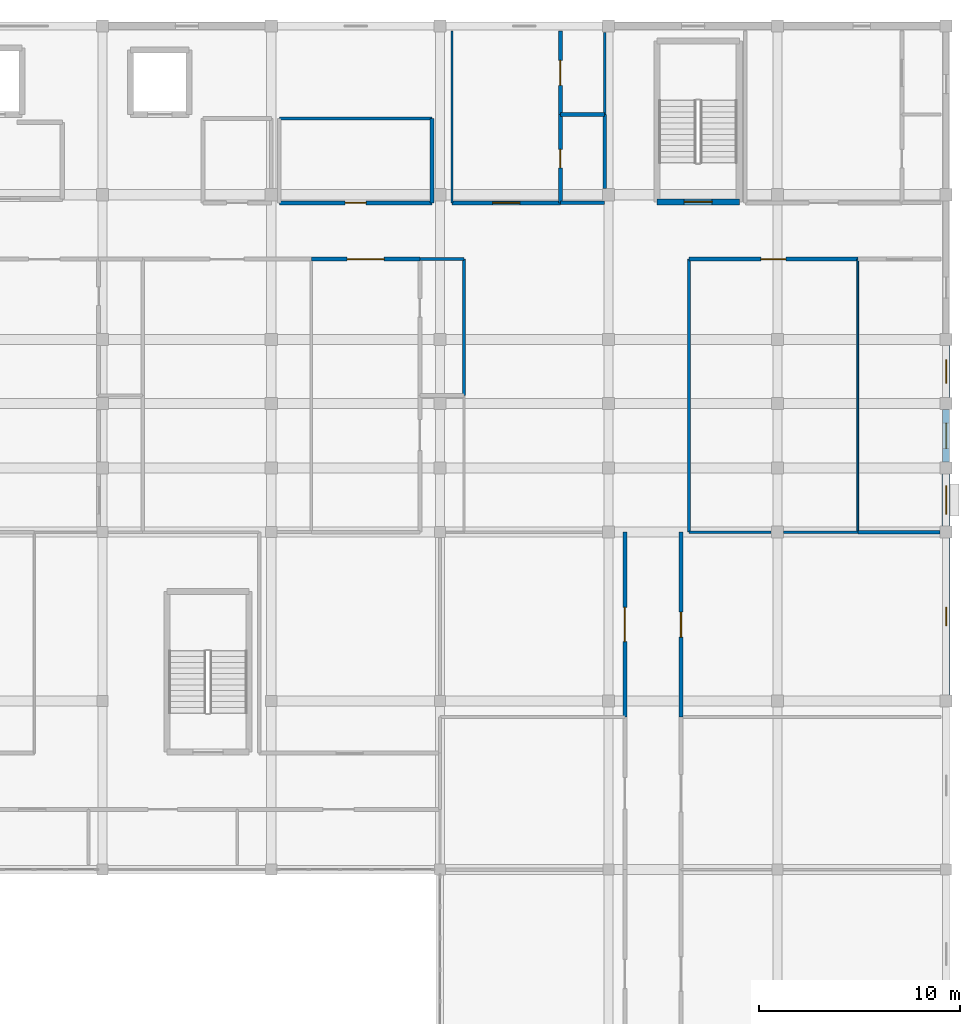
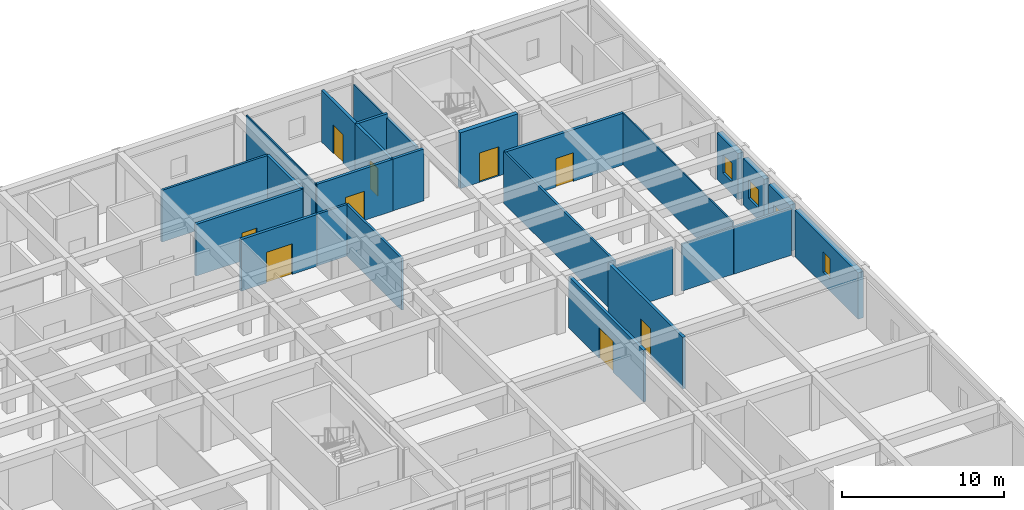
# One storey, part 59 of 77: 27 walls, 9 doors, 4 windows, 13 openings.
"""IFC4 building model written with IfcOpenShell, lengths in metres."""

from ifc_helpers import new_model, si_unit, direction, frame, frame_2d, origin, place, context, subcontext, project, spatial, rectangle, extrude, material, layer, layer_set, type_object, element, fill, save


model = new_model("IFC4")

# Units and contexts
model_context = context("Model", 3, precision=1e-05, world=origin(), true_north=direction((0.0, 1.0)))
body_context = subcontext(model_context, "Body", "Model", "MODEL_VIEW")
ifc_project = project(units=[si_unit("LENGTHUNIT", "METRE"), si_unit("AREAUNIT", "SQUARE_METRE"), si_unit("VOLUMEUNIT", "CUBIC_METRE"), si_unit("PLANEANGLEUNIT", "RADIAN"), si_unit("MASSUNIT", "GRAM", prefix="KILO")], contexts=[model_context])

# Site, building, storey
site_placement = place(None, origin())
site = spatial("IfcSite", under=ifc_project, at=site_placement, CompositionType="ELEMENT")
building_placement = place(site_placement, origin())
building = spatial("IfcBuilding", under=site, at=building_placement, Name="Varncliffe General Hospital", CompositionType="ELEMENT")
storey_placement = place(building_placement, frame((0.0, 0.0, 16.199951171875)))
storey = spatial("IfcBuildingStorey", under=building, at=storey_placement, Name="L03", CompositionType="ELEMENT", Elevation=16.199951171875)

# Wall, opening, window
ifc_material_1 = material(Name="Precast concrete C40/50 with insulated cream lime-cement stucco", Category="concrete")
ifc_layer_1 = layer(ifc_material_1, 0.3798828125)
ifc_layer_set_1 = layer_set([ifc_layer_1], Name="Precast concrete C40/50 with insulated cream lime-cement stucco")
wall_type_1 = type_object("IfcWallType", Name="Exterior Insulated Stucco Wall EW26 (380mm)", PredefinedType="SOLIDWALL", material=ifc_layer_set_1)
wall_1_placement = place(storey_placement, frame((176.39990234375, 108.902099609375, 0.0), z_axis=(0.0, 0.0, 1.0), x_axis=(0.0, -1.0, 0.0)))
wall_1 = element("IfcWall", 1, at=wall_1_placement, inside=storey, type_object=wall_type_1, Name="L03 Exterior Stucco Wall EW26-260", PredefinedType="SOLIDWALL", context=body_context, shape_type="SweptSolid", body=[
    extrude(rectangle(XDim=2.60400390625, YDim=0.3798828125, at=frame_2d((1.302001953125, 0.0))), origin(), (0.0, 0.0, 1.0), 3.47998046875),
])
opening_1_placement = place(wall_1_placement, frame((0.72705078125, 0.0, 0.89990234375)))
opening_1 = element("IfcOpeningElement", 2, at=opening_1_placement, cuts=wall_1, Name="Opening WN62", PredefinedType="OPENING", context=body_context, shape_type="SweptSolid", body=[
    extrude(rectangle(XDim=1.14990234375, YDim=1.39990234375, at=frame_2d((0.574951171875, 0.699951171875))), frame((0.0, 0.199951171875, 0.0), z_axis=(0.0, -1.0, 0.0), x_axis=(1.0, 0.0, 0.0)), (0.0, 0.0, 1.0), 0.39990234375),
])
ifc_material_2 = material(Name="Triple low-E argon insulated vision glazing", Category="glass")
window_type_1 = type_object("IfcWindowType", Name="Triple-Glazed Hospital Window WN62 (1150x1400)", PartitioningType="SINGLE_PANEL", PredefinedType="WINDOW", material=ifc_material_2)
window_1_placement = place(opening_1_placement, origin())
window_1 = element("IfcWindow", 3, at=window_1_placement, inside=storey, type_object=window_type_1, Name="L03 Hospital Window WN62-180", OverallHeight=1.39990234375, OverallWidth=1.14990234375, PartitioningType="SINGLE_PANEL", PredefinedType="WINDOW", context=body_context, shape_type="SweptSolid", body=[
    extrude(rectangle(XDim=1.14990234375, YDim=1.39990234375, at=frame_2d((0.574951171875, 0.699951171875))), frame((0.0, 0.030029296875, 0.0), z_axis=(0.0, -1.0, 0.0), x_axis=(1.0, 0.0, 0.0)), (0.0, 0.0, 1.0), 0.06005859375),
])
fill(opening_1, window_1)

wall_2_placement = place(storey_placement, frame((176.39990234375, 99.302001953125, 0.0), z_axis=(0.0, 0.0, 1.0), x_axis=(0.0, -1.0, 0.0)))
wall_2 = element("IfcWall", 4, at=wall_2_placement, inside=storey, type_object=wall_type_1, Name="L03 Exterior Stucco Wall EW26-263", PredefinedType="SOLIDWALL", context=body_context, shape_type="SweptSolid", body=[
    extrude(rectangle(XDim=7.803955078125, YDim=0.3798828125, at=frame_2d((3.90185546875, 0.0))), origin(), (0.0, 0.0, 1.0), 3.47998046875),
])
opening_2_placement = place(wall_2_placement, frame((3.451904296875, 0.0, 0.89990234375)))
opening_2 = element("IfcOpeningElement", 5, at=opening_2_placement, cuts=wall_2, Name="Opening WN45", PredefinedType="OPENING", context=body_context, shape_type="SweptSolid", body=[
    extrude(rectangle(XDim=0.89990234375, YDim=1.550048828125, at=frame_2d((0.449951171875, 0.77490234375))), frame((0.0, 0.199951171875, 0.0), z_axis=(0.0, -1.0, 0.0), x_axis=(1.0, 0.0, 0.0)), (0.0, 0.0, 1.0), 0.39990234375),
])
window_type_2 = type_object("IfcWindowType", Name="Triple-Glazed Hospital Window WN45 (900x1550)", PartitioningType="SINGLE_PANEL", PredefinedType="WINDOW", material=ifc_material_2)
window_2_placement = place(opening_2_placement, origin())
window_2 = element("IfcWindow", 6, at=window_2_placement, inside=storey, type_object=window_type_2, Name="L03 Hospital Window WN45-183", OverallHeight=1.550048828125, OverallWidth=0.89990234375, PartitioningType="SINGLE_PANEL", PredefinedType="WINDOW", context=body_context, shape_type="SweptSolid", body=[
    extrude(rectangle(XDim=0.89990234375, YDim=1.550048828125, at=frame_2d((0.449951171875, 0.77490234375))), frame((0.0, 0.030029296875, 0.0), z_axis=(0.0, -1.0, 0.0), x_axis=(1.0, 0.0, 0.0)), (0.0, 0.0, 1.0), 0.06005859375),
])
fill(opening_2, window_2)

ifc_layer_2 = layer(ifc_material_1, 0.35009765625)
ifc_layer_set_2 = layer_set([ifc_layer_2], Name="Precast concrete C40/50 with insulated cream lime-cement stucco")
wall_type_2 = type_object("IfcWallType", Name="Exterior Insulated Stucco Wall EW37 (350mm)", PredefinedType="SOLIDWALL", material=ifc_layer_set_2)
wall_3_placement = place(storey_placement, frame((176.39990234375, 105.701904296875, 0.0), z_axis=(0.0, 0.0, 1.0), x_axis=(0.0, -1.0, 0.0)))
wall_3 = element("IfcWall", 7, at=wall_3_placement, inside=storey, type_object=wall_type_2, Name="L03 Exterior Stucco Wall EW37-261", PredefinedType="SOLIDWALL", context=body_context, shape_type="SweptSolid", body=[
    extrude(rectangle(XDim=2.60400390625, YDim=0.35009765625, at=frame_2d((1.302001953125, 0.0))), origin(), (0.0, 0.0, 1.0), 3.47998046875),
])
opening_3_placement = place(wall_3_placement, frame((0.677001953125, 0.0, 0.89990234375)))
opening_3 = element("IfcOpeningElement", 8, at=opening_3_placement, cuts=wall_3, Name="Opening WN43", PredefinedType="OPENING", context=body_context, shape_type="SweptSolid", body=[
    extrude(rectangle(XDim=1.25, YDim=1.39990234375, at=frame_2d((0.625, 0.699951171875))), frame((0.0, 0.18505859375, 0.0), z_axis=(0.0, -1.0, 0.0), x_axis=(1.0, 0.0, 0.0)), (0.0, 0.0, 1.0), 0.3701171875),
])
window_type_3 = type_object("IfcWindowType", Name="Triple-Glazed Hospital Window WN43 (1250x1400)", PartitioningType="SINGLE_PANEL", PredefinedType="WINDOW", material=ifc_material_2)
window_3_placement = place(opening_3_placement, origin())
window_3 = element("IfcWindow", 9, at=window_3_placement, inside=storey, type_object=window_type_3, Name="L03 Hospital Window WN43-181", OverallHeight=1.39990234375, OverallWidth=1.25, PartitioningType="SINGLE_PANEL", PredefinedType="WINDOW", context=body_context, shape_type="SweptSolid", body=[
    extrude(rectangle(XDim=1.25, YDim=1.39990234375, at=frame_2d((0.625, 0.699951171875))), frame((0.0, 0.030029296875, 0.0), z_axis=(0.0, -1.0, 0.0), x_axis=(1.0, 0.0, 0.0)), (0.0, 0.0, 1.0), 0.06005859375),
])
fill(opening_3, window_3)

ifc_layer_3 = layer(ifc_material_1, 0.39990234375)
ifc_layer_set_3 = layer_set([ifc_layer_3], Name="Precast concrete C40/50 with insulated cream lime-cement stucco")
wall_type_3 = type_object("IfcWallType", Name="Exterior Insulated Stucco Wall EW47 (400mm)", PredefinedType="SOLIDWALL", material=ifc_layer_set_3)
wall_4_placement = place(storey_placement, frame((176.39990234375, 102.501953125, 0.0), z_axis=(0.0, 0.0, 1.0), x_axis=(0.0, -1.0, 0.0)))
wall_4 = element("IfcWall", 10, at=wall_4_placement, inside=storey, type_object=wall_type_3, Name="L03 Exterior Stucco Wall EW47-262", PredefinedType="SOLIDWALL", context=body_context, shape_type="SweptSolid", body=[
    extrude(rectangle(XDim=2.60400390625, YDim=0.39990234375, at=frame_2d((1.302001953125, 0.0))), origin(), (0.0, 0.0, 1.0), 3.47998046875),
])
opening_4_placement = place(wall_4_placement, frame((0.60205078125, 0.0, 0.89990234375)))
opening_4 = element("IfcOpeningElement", 11, at=opening_4_placement, cuts=wall_4, Name="Opening WN76", PredefinedType="OPENING", context=body_context, shape_type="SweptSolid", body=[
    extrude(rectangle(XDim=1.39990234375, YDim=1.39990234375, at=frame_2d((0.699951171875, 0.699951171875))), frame((0.0, 0.2099609375, 0.0), z_axis=(0.0, -1.0, 0.0), x_axis=(1.0, 0.0, 0.0)), (0.0, 0.0, 1.0), 0.419921875),
])
window_type_4 = type_object("IfcWindowType", Name="Triple-Glazed Hospital Window WN76 (1400x1400)", PartitioningType="SINGLE_PANEL", PredefinedType="WINDOW", material=ifc_material_2)
window_4_placement = place(opening_4_placement, origin())
window_4 = element("IfcWindow", 12, at=window_4_placement, inside=storey, type_object=window_type_4, Name="L03 Hospital Window WN76-182", OverallHeight=1.39990234375, OverallWidth=1.39990234375, PartitioningType="SINGLE_PANEL", PredefinedType="WINDOW", context=body_context, shape_type="SweptSolid", body=[
    extrude(rectangle(XDim=1.39990234375, YDim=1.39990234375, at=frame_2d((0.699951171875, 0.699951171875))), frame((0.0, 0.030029296875, 0.0), z_axis=(0.0, -1.0, 0.0), x_axis=(1.0, 0.0, 0.0)), (0.0, 0.0, 1.0), 0.06005859375),
])
fill(opening_4, window_4)

# Walls
ifc_material_3 = material(Name="Acoustic clinical gypsum stud partition assembly", Category="gypsum")
ifc_layer_4 = layer(ifc_material_3, 0.1298828125)
ifc_layer_set_4 = layer_set([ifc_layer_4], Name="Acoustic clinical gypsum stud partition assembly")
wall_type_4 = type_object("IfcWallType", Name="Interior Partitioning IW11 (130mm)", PredefinedType="PARTITIONING", material=ifc_layer_set_4)
wall_5_placement = place(storey_placement, frame((163.60009765625, 99.60009765625, 0.0), z_axis=(0.0, 0.0, 1.0), x_axis=(1.0, 0.0, 0.0)))
element("IfcWall", 13, at=wall_5_placement, inside=storey, type_object=wall_type_4, Name="L03 Interior Partition Wall IW11-1443", PredefinedType="PARTITIONING", context=body_context, shape_type="SweptSolid", body=[
    extrude(rectangle(XDim=4.0849609375, YDim=0.1298828125, at=frame_2d((2.04248046875, 0.0))), origin(), (0.0, 0.0, 1.0), 3.53515625),
])
wall_6_placement = place(storey_placement, frame((168.31494140625, 99.60009765625, 0.0), z_axis=(0.0, 0.0, 1.0), x_axis=(1.0, 0.0, 0.0)))
element("IfcWall", 14, at=wall_6_placement, inside=storey, type_object=wall_type_4, Name="L03 Interior Partition Wall IW11-1444", PredefinedType="PARTITIONING", context=body_context, shape_type="SweptSolid", body=[
    extrude(rectangle(XDim=3.68505859375, YDim=0.1298828125, at=frame_2d((1.842529296875, 0.0))), origin(), (0.0, 0.0, 1.0), 3.53515625),
])
ifc_layer_5 = layer(ifc_material_3, 0.169921875)
ifc_layer_set_5 = layer_set([ifc_layer_5], Name="Acoustic clinical gypsum stud partition assembly")
wall_type_5 = type_object("IfcWallType", Name="Interior Partitioning IW20 (170mm)", PredefinedType="PARTITIONING", material=ifc_layer_set_5)
wall_7_placement = place(storey_placement, frame((172.0, 99.60009765625, 0.0), z_axis=(0.0, 0.0, 1.0), x_axis=(1.0, 0.0, 0.0)))
element("IfcWall", 15, at=wall_7_placement, inside=storey, type_object=wall_type_5, Name="L03 Interior Partition Wall IW20-1445", PredefinedType="PARTITIONING", context=body_context, shape_type="SweptSolid", body=[
    extrude(rectangle(XDim=4.0849609375, YDim=0.169921875, at=frame_2d((2.04248046875, 0.0))), origin(), (0.0, 0.0, 1.0), 3.53515625),
])
ifc_layer_6 = layer(ifc_material_3, 0.14990234375)
ifc_layer_set_6 = layer_set([ifc_layer_6], Name="Acoustic clinical gypsum stud partition assembly")
wall_type_6 = type_object("IfcWallType", Name="Interior Partitioning IW35 (150mm)", PredefinedType="PARTITIONING", material=ifc_layer_set_6)
wall_8_placement = place(storey_placement, frame((163.60009765625, 99.60009765625, 0.0), z_axis=(0.0, 0.0, 1.0), x_axis=(0.0, 1.0, 0.0)))
element("IfcWall", 16, at=wall_8_placement, inside=storey, type_object=wall_type_6, Name="L03 Interior Partition Wall IW35-1669", PredefinedType="PARTITIONING", context=body_context, shape_type="SweptSolid", body=[
    extrude(rectangle(XDim=13.599853515625, YDim=0.14990234375, at=frame_2d((6.7998046875, 0.0))), origin(), (0.0, 0.0, 1.0), 3.89013671875),
])
ifc_layer_7 = layer(ifc_material_3, 0.090087890625)
ifc_layer_set_7 = layer_set([ifc_layer_7], Name="Acoustic clinical gypsum stud partition assembly")
wall_type_7 = type_object("IfcWallType", Name="Interior Partitioning IW42 (90mm)", PredefinedType="PARTITIONING", material=ifc_layer_set_7)
wall_9_placement = place(storey_placement, frame((151.800048828125, 116.0, 0.0), z_axis=(0.0, 0.0, 1.0), x_axis=(0.0, 1.0, 0.0)))
element("IfcWall", 17, at=wall_9_placement, inside=storey, type_object=wall_type_7, Name="L03 Interior Partition Wall IW42-1641", PredefinedType="PARTITIONING", context=body_context, shape_type="SweptSolid", body=[
    extrude(rectangle(XDim=8.5400390625, YDim=0.090087890625, at=frame_2d((4.27001953125, 0.0))), origin(), (0.0, 0.0, 1.0), 3.89013671875),
])
wall_10_placement = place(storey_placement, frame((172.0, 99.60009765625, 0.0), z_axis=(0.0, 0.0, 1.0), x_axis=(0.0, 1.0, 0.0)))
element("IfcWall", 18, at=wall_10_placement, inside=storey, type_object=wall_type_7, Name="L03 Interior Partition Wall IW42-1671", PredefinedType="PARTITIONING", context=body_context, shape_type="SweptSolid", body=[
    extrude(rectangle(XDim=13.599853515625, YDim=0.090087890625, at=frame_2d((6.7998046875, 0.0))), origin(), (0.0, 0.0, 1.0), 3.89013671875),
])
ifc_layer_8 = layer(ifc_material_3, 0.110107421875)
ifc_layer_set_8 = layer_set([ifc_layer_8], Name="Acoustic clinical gypsum stud partition assembly")
wall_type_8 = type_object("IfcWallType", Name="Interior Partitioning IW65 (110mm)", PredefinedType="PARTITIONING", material=ifc_layer_set_8)
wall_11_placement = place(storey_placement, frame((159.39990234375, 120.39990234375, 0.0), z_axis=(0.0, 0.0, 1.0), x_axis=(0.0, 1.0, 0.0)))
element("IfcWall", 19, at=wall_11_placement, inside=storey, type_object=wall_type_8, Name="L03 Interior Partition Wall IW65-1647", PredefinedType="PARTITIONING", context=body_context, shape_type="SweptSolid", body=[
    extrude(rectangle(XDim=4.085205078125, YDim=0.110107421875, at=frame_2d((2.04248046875, 0.0))), origin(), (0.0, 0.0, 1.0), 3.5849609375),
])

# Wall, opening, door
ifc_material_4 = material(Name="Fire-rated gypsum and mineral-wool partition assembly", Category="gypsum")
ifc_layer_9 = layer(ifc_material_4, 0.199951171875)
ifc_layer_set_9 = layer_set([ifc_layer_9], Name="Fire-rated gypsum and mineral-wool partition assembly")
wall_type_9 = type_object("IfcWallType", Name="Interior Partitioning PW63 (200mm)", PredefinedType="PARTITIONING", material=ifc_layer_set_9)
wall_12_placement = place(storey_placement, frame((144.800048828125, 113.199951171875, 0.0), z_axis=(0.0, 0.0, 1.0), x_axis=(1.0, 0.0, 0.0)))
wall_12 = element("IfcWall", 20, at=wall_12_placement, inside=storey, type_object=wall_type_9, Name="L03 Interior Partition Wall PW63-1476", PredefinedType="PARTITIONING", context=body_context, shape_type="SweptSolid", body=[
    extrude(rectangle(XDim=5.39990234375, YDim=0.199951171875, at=frame_2d((2.699951171875, 0.0))), origin(), (0.0, 0.0, 1.0), 3.89013671875),
])
opening_5_placement = place(wall_12_placement, frame((1.77490234375, 0.0, 0.0)))
opening_5 = element("IfcOpeningElement", 21, at=opening_5_placement, cuts=wall_12, Name="Opening DC38", PredefinedType="OPENING", context=body_context, shape_type="SweptSolid", body=[
    extrude(rectangle(XDim=1.85009765625, YDim=2.300048828125, at=frame_2d((0.925048828125, 1.14990234375))), frame((0.0, 0.10986328125, 0.0), z_axis=(0.0, -1.0, 0.0), x_axis=(1.0, 0.0, 0.0)), (0.0, 0.0, 1.0), 0.219970703125),
])
ifc_material_5 = material(Name="Fire-rated hospital steel-frame vision-panel door", Category="steel")
door_type_1 = type_object("IfcDoorType", Name="Interior Hospital Door DC38 (1850x2300)", OperationType="NOTDEFINED", PredefinedType="DOOR", material=ifc_material_5)
door_1_placement = place(opening_5_placement, frame((1.85009765625, 0.0, 0.0), z_axis=(0.0, 0.0, 1.0), x_axis=(-1.0, 0.0, 0.0)))
door_1 = element("IfcDoor", 22, at=door_1_placement, inside=storey, type_object=door_type_1, Name="L03 Orthopaedic Inpatient Ward Suite 123 Door", OperationType="SINGLE_SWING_RIGHT", OverallHeight=2.300048828125, OverallWidth=1.85009765625, PredefinedType="DOOR", context=body_context, shape_type="SweptSolid", body=[
    extrude(rectangle(XDim=1.85009765625, YDim=2.300048828125, at=frame_2d((0.925048828125, 1.14990234375))), frame((0.0, 0.02490234375, 0.0), z_axis=(0.0, -1.0, 0.0), x_axis=(1.0, 0.0, 0.0)), (0.0, 0.0, 1.0), 0.050048828125),
])
fill(opening_5, door_1)

wall_13_placement = place(storey_placement, frame((163.60009765625, 113.199951171875, 0.0), z_axis=(0.0, 0.0, 1.0), x_axis=(1.0, 0.0, 0.0)))
wall_13 = element("IfcWall", 23, at=wall_13_placement, inside=storey, type_object=wall_type_9, Name="L03 Interior Partition Wall PW63-1478", PredefinedType="PARTITIONING", context=body_context, shape_type="SweptSolid", body=[
    extrude(rectangle(XDim=8.39990234375, YDim=0.199951171875, at=frame_2d((4.199951171875, 0.0))), origin(), (0.0, 0.0, 1.0), 3.89013671875),
])
opening_6_placement = place(wall_13_placement, frame((3.574951171875, 0.0, 0.0)))
opening_6 = element("IfcOpeningElement", 24, at=opening_6_placement, cuts=wall_13, Name="Opening DC44", PredefinedType="OPENING", context=body_context, shape_type="SweptSolid", body=[
    extrude(rectangle(XDim=1.25, YDim=2.14990234375, at=frame_2d((0.625, 1.074951171875))), frame((0.0, 0.10986328125, 0.0), z_axis=(0.0, -1.0, 0.0), x_axis=(1.0, 0.0, 0.0)), (0.0, 0.0, 1.0), 0.219970703125),
])
door_type_2 = type_object("IfcDoorType", Name="Interior Hospital Door DC44 (1250x2150)", OperationType="NOTDEFINED", PredefinedType="DOOR", material=ifc_material_5)
door_2_placement = place(opening_6_placement, frame((1.25, 0.0, 0.0), z_axis=(0.0, 0.0, 1.0), x_axis=(-1.0, 0.0, 0.0)))
door_2 = element("IfcDoor", 25, at=door_2_placement, inside=storey, type_object=door_type_2, Name="L03 Inpatient Physiotherapy Gym Bay 126 Door", OperationType="SINGLE_SWING_LEFT", OverallHeight=2.14990234375, OverallWidth=1.25, PredefinedType="DOOR", context=body_context, shape_type="SweptSolid", body=[
    extrude(rectangle(XDim=1.25, YDim=2.14990234375, at=frame_2d((0.625, 1.074951171875))), frame((0.0, 0.02490234375, 0.0), z_axis=(0.0, -1.0, 0.0), x_axis=(1.0, 0.0, 0.0)), (0.0, 0.0, 1.0), 0.050048828125),
])
fill(opening_6, door_2)

wall_14_placement = place(storey_placement, frame((143.199951171875, 116.0, 0.0), z_axis=(0.0, 0.0, 1.0), x_axis=(1.0, 0.0, 0.0)))
wall_14 = element("IfcWall", 26, at=wall_14_placement, inside=storey, type_object=wall_type_9, Name="L03 Interior Partition Wall PW63-1488", PredefinedType="PARTITIONING", context=body_context, shape_type="SweptSolid", body=[
    extrude(rectangle(XDim=7.60009765625, YDim=0.199951171875, at=frame_2d((3.800048828125, 0.0))), origin(), (0.0, 0.0, 1.0), 3.89013671875),
])
opening_7_placement = place(wall_14_placement, frame((3.280029296875, 0.0, 0.0)))
opening_7 = element("IfcOpeningElement", 27, at=opening_7_placement, cuts=wall_14, Name="Opening DI77", PredefinedType="OPENING", context=body_context, shape_type="SweptSolid", body=[
    extrude(rectangle(XDim=1.0400390625, YDim=2.10009765625, at=frame_2d((0.52001953125, 1.050048828125))), frame((0.0, 0.10986328125, 0.0), z_axis=(0.0, -1.0, 0.0), x_axis=(1.0, 0.0, 0.0)), (0.0, 0.0, 1.0), 0.219970703125),
])
ifc_material_6 = material(Name="Solid-core antimicrobial hospital oak veneer door", Category="wood")
door_type_3 = type_object("IfcDoorType", Name="Interior Hospital Door DI77 (1040x2100)", OperationType="NOTDEFINED", PredefinedType="DOOR", material=ifc_material_6)
door_3_placement = place(opening_7_placement, origin())
door_3 = element("IfcDoor", 28, at=door_3_placement, inside=storey, type_object=door_type_3, Name="L03 Staff and Visitor WC L03-NE Door", OperationType="SINGLE_SWING_LEFT", OverallHeight=2.10009765625, OverallWidth=1.0400390625, PredefinedType="DOOR", context=body_context, shape_type="SweptSolid", body=[
    extrude(rectangle(XDim=1.0400390625, YDim=2.10009765625, at=frame_2d((0.52001953125, 1.050048828125))), frame((0.0, 0.02490234375, 0.0), z_axis=(0.0, -1.0, 0.0), x_axis=(1.0, 0.0, 0.0)), (0.0, 0.0, 1.0), 0.050048828125),
])
fill(opening_7, door_3)

wall_15_placement = place(storey_placement, frame((151.800048828125, 116.0, 0.0), z_axis=(0.0, 0.0, 1.0), x_axis=(1.0, 0.0, 0.0)))
wall_15 = element("IfcWall", 29, at=wall_15_placement, inside=storey, type_object=wall_type_9, Name="L03 Interior Partition Wall PW63-1489", PredefinedType="PARTITIONING", context=body_context, shape_type="SweptSolid", body=[
    extrude(rectangle(XDim=5.39990234375, YDim=0.199951171875, at=frame_2d((2.699951171875, 0.0))), origin(), (0.0, 0.0, 1.0), 3.89013671875),
])
opening_8_placement = place(wall_15_placement, frame((2.02490234375, 0.0, 0.0)))
opening_8 = element("IfcOpeningElement", 30, at=opening_8_placement, cuts=wall_15, Name="Opening DC85", PredefinedType="OPENING", context=body_context, shape_type="SweptSolid", body=[
    extrude(rectangle(XDim=1.35009765625, YDim=2.199951171875, at=frame_2d((0.675048828125, 1.10009765625))), frame((0.0, 0.10986328125, 0.0), z_axis=(0.0, -1.0, 0.0), x_axis=(1.0, 0.0, 0.0)), (0.0, 0.0, 1.0), 0.219970703125),
])
door_type_4 = type_object("IfcDoorType", Name="Interior Hospital Door DC85 (1350x2200)", OperationType="NOTDEFINED", PredefinedType="DOOR", material=ifc_material_5)
door_4_placement = place(opening_8_placement, origin())
door_4 = element("IfcDoor", 31, at=door_4_placement, inside=storey, type_object=door_type_4, Name="L03 Orthopaedic Inpatient Ward Suite 135 Door", OperationType="SINGLE_SWING_RIGHT", OverallHeight=2.199951171875, OverallWidth=1.35009765625, PredefinedType="DOOR", context=body_context, shape_type="SweptSolid", body=[
    extrude(rectangle(XDim=1.35009765625, YDim=2.199951171875, at=frame_2d((0.675048828125, 1.10009765625))), frame((0.0, 0.02490234375, 0.0), z_axis=(0.0, -1.0, 0.0), x_axis=(1.0, 0.0, 0.0)), (0.0, 0.0, 1.0), 0.050048828125),
])
fill(opening_8, door_4)

wall_16_placement = place(storey_placement, frame((157.199951171875, 116.0, 0.0), z_axis=(0.0, 0.0, 1.0), x_axis=(0.0, 1.0, 0.0)))
wall_16 = element("IfcWall", 32, at=wall_16_placement, inside=storey, type_object=wall_type_9, Name="L03 Interior Partition Wall PW63-1644", PredefinedType="PARTITIONING", context=body_context, shape_type="SweptSolid", body=[
    extrude(rectangle(XDim=4.39990234375, YDim=0.199951171875, at=frame_2d((2.199951171875, 0.0))), origin(), (0.0, 0.0, 1.0), 3.89013671875),
])
opening_9_placement = place(wall_16_placement, frame((1.739990234375, 0.0, 0.0)))
opening_9 = element("IfcOpeningElement", 33, at=opening_9_placement, cuts=wall_16, Name="Opening DI70", PredefinedType="OPENING", context=body_context, shape_type="SweptSolid", body=[
    extrude(rectangle(XDim=0.919921875, YDim=2.10009765625, at=frame_2d((0.4599609375, 1.050048828125))), frame((0.0, 0.10986328125, 0.0), z_axis=(0.0, -1.0, 0.0), x_axis=(1.0, 0.0, 0.0)), (0.0, 0.0, 1.0), 0.219970703125),
])
door_type_5 = type_object("IfcDoorType", Name="Interior Hospital Door DI70 (920x2100)", OperationType="NOTDEFINED", PredefinedType="DOOR", material=ifc_material_6)
door_5_placement = place(opening_9_placement, frame((0.919921875, 0.0, 0.0), z_axis=(0.0, 0.0, 1.0), x_axis=(-1.0, 0.0, 0.0)))
door_5 = element("IfcDoor", 34, at=door_5_placement, inside=storey, type_object=door_type_5, Name="L03 En-Suite Bathroom 136 Door", OperationType="SINGLE_SWING_LEFT", OverallHeight=2.10009765625, OverallWidth=0.919921875, PredefinedType="DOOR", context=body_context, shape_type="SweptSolid", body=[
    extrude(rectangle(XDim=0.919921875, YDim=2.10009765625, at=frame_2d((0.4599609375, 1.050048828125))), frame((0.0, 0.02490234375, 0.0), z_axis=(0.0, -1.0, 0.0), x_axis=(1.0, 0.0, 0.0)), (0.0, 0.0, 1.0), 0.050048828125),
])
fill(opening_9, door_5)

wall_17_placement = place(storey_placement, frame((157.199951171875, 120.39990234375, 0.0), z_axis=(0.0, 0.0, 1.0), x_axis=(0.0, 1.0, 0.0)))
wall_17 = element("IfcWall", 35, at=wall_17_placement, inside=storey, type_object=wall_type_9, Name="L03 Interior Partition Wall PW63-1645", PredefinedType="PARTITIONING", context=body_context, shape_type="SweptSolid", body=[
    extrude(rectangle(XDim=4.14013671875, YDim=0.199951171875, at=frame_2d((2.070068359375, 0.0))), origin(), (0.0, 0.0, 1.0), 3.89013671875),
])
opening_10_placement = place(wall_17_placement, frame((1.445068359375, 0.0, 0.0)))
opening_10 = element("IfcOpeningElement", 36, at=opening_10_placement, cuts=wall_17, Name="Opening DC44", PredefinedType="OPENING", context=body_context, shape_type="SweptSolid", body=[
    extrude(rectangle(XDim=1.25, YDim=2.14990234375, at=frame_2d((0.625, 1.074951171875))), frame((0.0, 0.10986328125, 0.0), z_axis=(0.0, -1.0, 0.0), x_axis=(1.0, 0.0, 0.0)), (0.0, 0.0, 1.0), 0.219970703125),
])
door_6_placement = place(opening_10_placement, frame((1.25, 0.0, 0.0), z_axis=(0.0, 0.0, 1.0), x_axis=(-1.0, 0.0, 0.0)))
door_6 = element("IfcDoor", 37, at=door_6_placement, inside=storey, type_object=door_type_2, Name="L03 Patient Medication and Hygiene Bay 137 Door", OperationType="SINGLE_SWING_RIGHT", OverallHeight=2.14990234375, OverallWidth=1.25, PredefinedType="DOOR", context=body_context, shape_type="SweptSolid", body=[
    extrude(rectangle(XDim=1.25, YDim=2.14990234375, at=frame_2d((0.625, 1.074951171875))), frame((0.0, 0.02490234375, 0.0), z_axis=(0.0, -1.0, 0.0), x_axis=(1.0, 0.0, 0.0)), (0.0, 0.0, 1.0), 0.050048828125),
])
fill(opening_10, door_6)

wall_18_placement = place(storey_placement, frame((160.39990234375, 90.39990234375, 0.0), z_axis=(0.0, 0.0, 1.0), x_axis=(0.0, 1.0, 0.0)))
wall_18 = element("IfcWall", 38, at=wall_18_placement, inside=storey, type_object=wall_type_9, Name="L03 Interior Partition Wall PW63-1659", PredefinedType="PARTITIONING", context=body_context, shape_type="SweptSolid", body=[
    extrude(rectangle(XDim=9.2001953125, YDim=0.199951171875, at=frame_2d((4.60009765625, 0.0))), origin(), (0.0, 0.0, 1.0), 3.89013671875),
])
opening_11_placement = place(wall_18_placement, frame((3.75, 0.0, 0.0)))
opening_11 = element("IfcOpeningElement", 39, at=opening_11_placement, cuts=wall_18, Name="Opening DC50", PredefinedType="OPENING", context=body_context, shape_type="SweptSolid", body=[
    extrude(rectangle(XDim=1.699951171875, YDim=2.300048828125, at=frame_2d((0.85009765625, 1.14990234375))), frame((0.0, 0.10986328125, 0.0), z_axis=(0.0, -1.0, 0.0), x_axis=(1.0, 0.0, 0.0)), (0.0, 0.0, 1.0), 0.219970703125),
])
door_type_6 = type_object("IfcDoorType", Name="Interior Hospital Door DC50 (1700x2300)", OperationType="NOTDEFINED", PredefinedType="DOOR", material=ifc_material_5)
door_7_placement = place(opening_11_placement, origin())
door_7 = element("IfcDoor", 40, at=door_7_placement, inside=storey, type_object=door_type_6, Name="L03 Inpatient Physiotherapy Gym Bay 144 Door", OperationType="SINGLE_SWING_RIGHT", OverallHeight=2.300048828125, OverallWidth=1.699951171875, PredefinedType="DOOR", context=body_context, shape_type="SweptSolid", body=[
    extrude(rectangle(XDim=1.699951171875, YDim=2.300048828125, at=frame_2d((0.85009765625, 1.14990234375))), frame((0.0, 0.02490234375, 0.0), z_axis=(0.0, -1.0, 0.0), x_axis=(1.0, 0.0, 0.0)), (0.0, 0.0, 1.0), 0.050048828125),
])
fill(opening_11, door_7)

wall_19_placement = place(storey_placement, frame((163.199951171875, 90.39990234375, 0.0), z_axis=(0.0, 0.0, 1.0), x_axis=(0.0, 1.0, 0.0)))
wall_19 = element("IfcWall", 41, at=wall_19_placement, inside=storey, type_object=wall_type_9, Name="L03 Interior Partition Wall PW63-1668", PredefinedType="PARTITIONING", context=body_context, shape_type="SweptSolid", body=[
    extrude(rectangle(XDim=9.2001953125, YDim=0.199951171875, at=frame_2d((4.60009765625, 0.0))), origin(), (0.0, 0.0, 1.0), 3.89013671875),
])
opening_12_placement = place(wall_19_placement, frame((3.97509765625, 0.0, 0.0)))
opening_12 = element("IfcOpeningElement", 42, at=opening_12_placement, cuts=wall_19, Name="Opening DC44", PredefinedType="OPENING", context=body_context, shape_type="SweptSolid", body=[
    extrude(rectangle(XDim=1.25, YDim=2.14990234375, at=frame_2d((0.625, 1.074951171875))), frame((0.0, 0.10986328125, 0.0), z_axis=(0.0, -1.0, 0.0), x_axis=(1.0, 0.0, 0.0)), (0.0, 0.0, 1.0), 0.219970703125),
])
door_8_placement = place(opening_12_placement, frame((1.25, 0.0, 0.0), z_axis=(0.0, 0.0, 1.0), x_axis=(-1.0, 0.0, 0.0)))
door_8 = element("IfcDoor", 43, at=door_8_placement, inside=storey, type_object=door_type_2, Name="L03 Inpatient Physiotherapy Gym Bay 146 Door", OperationType="SINGLE_SWING_LEFT", OverallHeight=2.14990234375, OverallWidth=1.25, PredefinedType="DOOR", context=body_context, shape_type="SweptSolid", body=[
    extrude(rectangle(XDim=1.25, YDim=2.14990234375, at=frame_2d((0.625, 1.074951171875))), frame((0.0, 0.02490234375, 0.0), z_axis=(0.0, -1.0, 0.0), x_axis=(1.0, 0.0, 0.0)), (0.0, 0.0, 1.0), 0.050048828125),
])
fill(opening_12, door_8)

# Walls
ifc_material_7 = material(Name="Moisture-resistant plumbing chase wall assembly", Category="gypsum")
ifc_layer_10 = layer(ifc_material_7, 0.18994140625)
ifc_layer_set_10 = layer_set([ifc_layer_10], Name="Moisture-resistant plumbing chase wall assembly")
wall_type_10 = type_object("IfcWallType", Name="Interior Plumbingwall MW17 (190mm)", PredefinedType="PLUMBINGWALL", material=ifc_layer_set_10)
for number, where, z_axis, x_axis, name in (
    (44, (157.199951171875, 116.0, 0.0), (0.0, 0.0, 1.0), (1.0, 0.0, 0.0), "L03 Interior Plumbing Wall MW17-1490"),
    (45, (157.199951171875, 120.39990234375, 0.0), (0.0, 0.0, 1.0), (1.0, 0.0, 0.0), "L03 Interior Plumbing Wall MW17-1508"),
):
    element("IfcWall", number, at=place(storey_placement, frame(where, z_axis=z_axis, x_axis=x_axis)), inside=storey, type_object=wall_type_10, Name=name, PredefinedType="PLUMBINGWALL", context=body_context, shape_type="SweptSolid", body=[
        extrude(rectangle(XDim=2.199951171875, YDim=0.18994140625, at=frame_2d((1.10009765625, 0.0))), origin(), (0.0, 0.0, 1.0), 3.89013671875),
    ])
wall_20_placement = place(storey_placement, frame((150.800048828125, 116.0, 0.0), z_axis=(0.0, 0.0, 1.0), x_axis=(0.0, 1.0, 0.0)))
element("IfcWall", 46, at=wall_20_placement, inside=storey, type_object=wall_type_10, Name="L03 Interior Plumbing Wall MW17-1632", PredefinedType="PLUMBINGWALL", context=body_context, shape_type="SweptSolid", body=[
    extrude(rectangle(XDim=4.199951171875, YDim=0.18994140625, at=frame_2d((2.10009765625, 0.0))), origin(), (0.0, 0.0, 1.0), 3.89013671875),
])
wall_21_placement = place(storey_placement, frame((159.39990234375, 116.715087890625, 0.0), z_axis=(0.0, 0.0, 1.0), x_axis=(0.0, 1.0, 0.0)))
element("IfcWall", 47, at=wall_21_placement, inside=storey, type_object=wall_type_10, Name="L03 Interior Plumbing Wall MW17-1646", PredefinedType="PLUMBINGWALL", context=body_context, shape_type="SweptSolid", body=[
    extrude(rectangle(XDim=3.684814453125, YDim=0.18994140625, at=frame_2d((1.84228515625, 0.0))), origin(), (0.0, 0.0, 1.0), 3.5849609375),
])
ifc_layer_11 = layer(ifc_material_7, 0.159912109375)
ifc_layer_set_11 = layer_set([ifc_layer_11], Name="Moisture-resistant plumbing chase wall assembly")
wall_type_11 = type_object("IfcWallType", Name="Interior Plumbingwall MW31 (160mm)", PredefinedType="PLUMBINGWALL", material=ifc_layer_set_11)
wall_22_placement = place(storey_placement, frame((150.199951171875, 113.199951171875, 0.0), z_axis=(0.0, 0.0, 1.0), x_axis=(1.0, 0.0, 0.0)))
element("IfcWall", 48, at=wall_22_placement, inside=storey, type_object=wall_type_11, Name="L03 Interior Plumbing Wall MW31-1477", PredefinedType="PLUMBINGWALL", context=body_context, shape_type="SweptSolid", body=[
    extrude(rectangle(XDim=2.199951171875, YDim=0.159912109375, at=frame_2d((1.10009765625, 0.0))), origin(), (0.0, 0.0, 1.0), 3.89013671875),
])
wall_23_placement = place(storey_placement, frame((143.199951171875, 120.199951171875, 0.0), z_axis=(0.0, 0.0, 1.0), x_axis=(1.0, 0.0, 0.0)))
element("IfcWall", 49, at=wall_23_placement, inside=storey, type_object=wall_type_11, Name="L03 Interior Plumbing Wall MW31-1505", PredefinedType="PLUMBINGWALL", context=body_context, shape_type="SweptSolid", body=[
    extrude(rectangle(XDim=7.60009765625, YDim=0.159912109375, at=frame_2d((3.800048828125, 0.0))), origin(), (0.0, 0.0, 1.0), 3.89013671875),
])
wall_24_placement = place(storey_placement, frame((152.39990234375, 106.39990234375, 0.0), z_axis=(0.0, 0.0, 1.0), x_axis=(0.0, 1.0, 0.0)))
element("IfcWall", 50, at=wall_24_placement, inside=storey, type_object=wall_type_11, Name="L03 Interior Plumbing Wall MW31-1643", PredefinedType="PLUMBINGWALL", context=body_context, shape_type="SweptSolid", body=[
    extrude(rectangle(XDim=6.800048828125, YDim=0.159912109375, at=frame_2d((3.39990234375, 0.0))), origin(), (0.0, 0.0, 1.0), 3.89013671875),
])

# Wall, opening, door
ifc_material_8 = material(Name="Concrete C40/50 (CSA A23.1 40 MPa)", Category="concrete")
ifc_layer_12 = layer(ifc_material_8, 0.300048828125)
ifc_layer_set_12 = layer_set([ifc_layer_12], Name="Concrete C40/50 (CSA A23.1 40 MPa)")
wall_type_12 = type_object("IfcWallType", Name="Reinforced Concrete Core Shear Wall CW12 (300mm)", PredefinedType="SHEAR", material=ifc_layer_set_12)
wall_25_placement = place(storey_placement, frame((162.0, 116.050048828125, 0.0), z_axis=(0.0, 0.0, 1.0), x_axis=(1.0, 0.0, 0.0)))
wall_25 = element("IfcWall", 51, at=wall_25_placement, inside=storey, type_object=wall_type_12, Name="L03 ST04 Core Shear Wall N", PredefinedType="SHEAR", context=body_context, shape_type="SweptSolid", body=[
    extrude(rectangle(XDim=4.10009765625, YDim=0.300048828125, at=frame_2d((2.050048828125, 0.0))), origin(), (0.0, 0.0, 1.0), 4.199951171875),
])
opening_13_placement = place(wall_25_placement, frame((1.35009765625, 0.0, 0.0)))
opening_13 = element("IfcOpeningElement", 52, at=opening_13_placement, cuts=wall_25, Name="Opening DF81", PredefinedType="OPENING", context=body_context, shape_type="SweptSolid", body=[
    extrude(rectangle(XDim=1.39990234375, YDim=2.199951171875, at=frame_2d((0.699951171875, 1.10009765625))), frame((0.0, 0.16015625, 0.0), z_axis=(0.0, -1.0, 0.0), x_axis=(1.0, 0.0, 0.0)), (0.0, 0.0, 1.0), 0.320068359375),
])
door_type_7 = type_object("IfcDoorType", Name="Interior Hospital Door DF81 (1400x2200)", OperationType="NOTDEFINED", PredefinedType="DOOR", material=ifc_material_5)
door_9_placement = place(opening_13_placement, frame((1.39990234375, 0.0, 0.0), z_axis=(0.0, 0.0, 1.0), x_axis=(-1.0, 0.0, 0.0)))
door_9 = element("IfcDoor", 53, at=door_9_placement, inside=storey, type_object=door_type_7, Name="L03 ST04 Protected Exit Stair Door", OperationType="SINGLE_SWING_RIGHT", OverallHeight=2.199951171875, OverallWidth=1.39990234375, PredefinedType="DOOR", context=body_context, shape_type="SweptSolid", body=[
    extrude(rectangle(XDim=1.39990234375, YDim=2.199951171875, at=frame_2d((0.699951171875, 1.10009765625))), frame((0.0, 0.02490234375, 0.0), z_axis=(0.0, -1.0, 0.0), x_axis=(1.0, 0.0, 0.0)), (0.0, 0.0, 1.0), 0.050048828125),
])
fill(opening_13, door_9)

save(model, "model.ifc")
